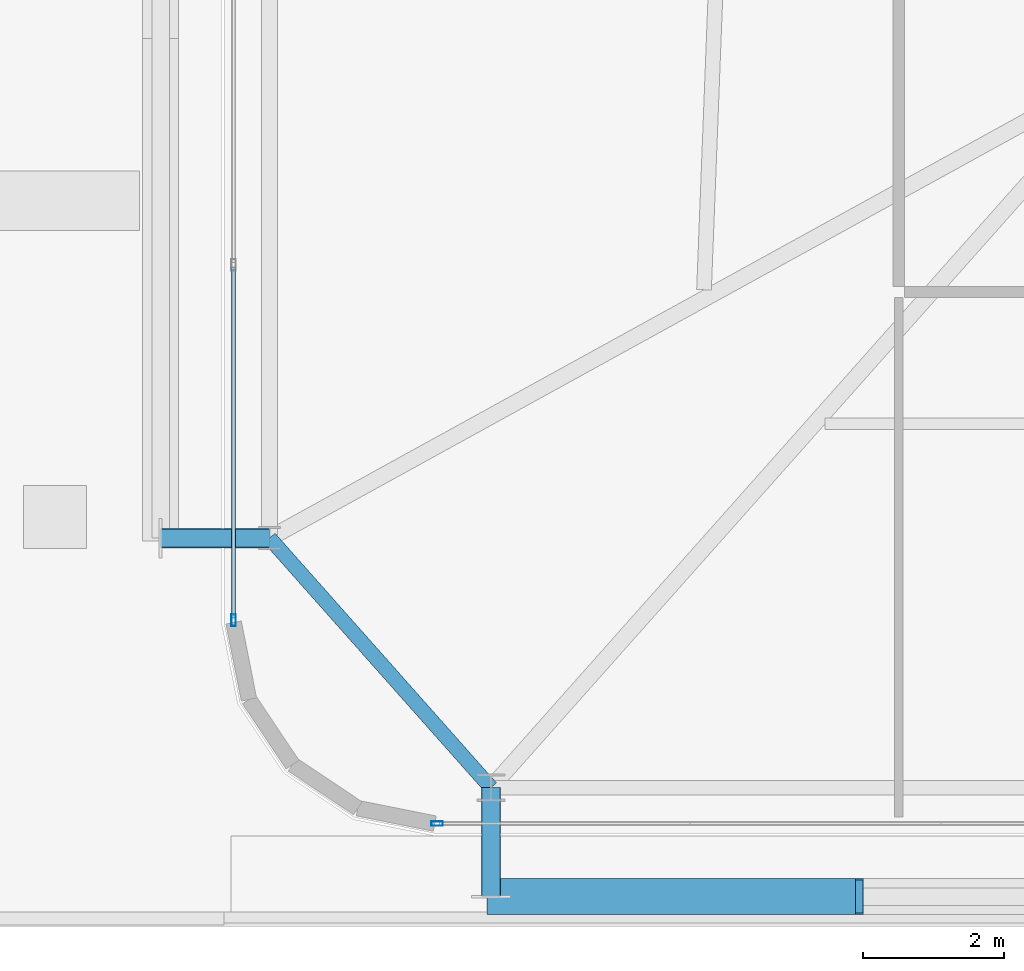
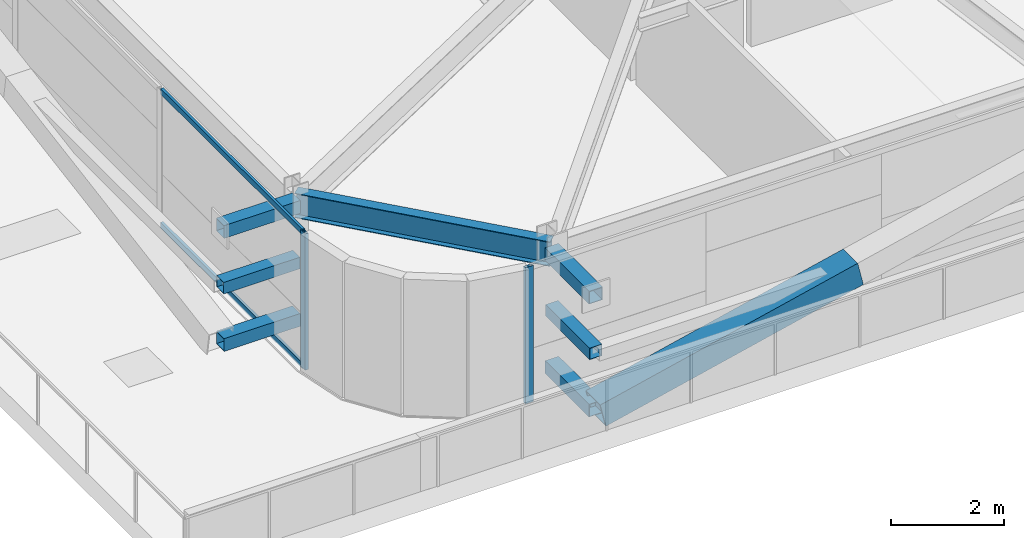
# One storey, part 5 of 56: 11 members, 1 beam, 2 elements without a shape of their own.
"""IFC4 building model written with IfcOpenShell, lengths in metres."""

from ifc_helpers import new_model, si_unit, direction, frame, origin, origin_2d, place, context, subcontext, project, spatial, hollow_rectangle, i_section, extrude, source, transform, mapped, material, layer, layer_set, material_profile, profile_set, type_object, element, aggregate, save


model = new_model("IFC4")

# Units and contexts
model_context = context("Model", 3, precision=1e-05, world=origin(), true_north=direction((0.0, 1.0)))
body_context = subcontext(model_context, "Body", "Model", "MODEL_VIEW")
ifc_project = project(units=[si_unit("LENGTHUNIT", "METRE"), si_unit("AREAUNIT", "SQUARE_METRE"), si_unit("VOLUMEUNIT", "CUBIC_METRE"), si_unit("PLANEANGLEUNIT", "RADIAN"), si_unit("MASSUNIT", "GRAM", prefix="KILO")], contexts=[model_context])

# Site, building, storey
site_placement = place(None, origin())
site = spatial("IfcSite", under=ifc_project, at=site_placement, CompositionType="ELEMENT")
building_placement = place(site_placement, origin())
building = spatial("IfcBuilding", under=site, at=building_placement, Name="Taldren Reach Tower", CompositionType="ELEMENT")
storey_placement = place(building_placement, frame((0.0, 0.0, 16.800048828125)))
storey = spatial("IfcBuildingStorey", under=building, at=storey_placement, Name="L04", CompositionType="ELEMENT", Elevation=16.800048828125)

# Beam
ifc_material_1 = material(Name="Steel Gr 350 (350PLUS)", Category="steel")
ifc_material_profile_1 = material_profile(ifc_material_1, i_section(OverallWidth=0.208984375, OverallDepth=0.528076171875, WebThickness=0.009521484375, FlangeThickness=0.01318359375, at=origin_2d()), Name="530UB82.0")
ifc_profile_set_1 = profile_set([ifc_material_profile_1], Name="Steel Gr 350 (350PLUS)")
beam_type = type_object("IfcBeamType", Name="SP-UB530B", PredefinedType="SPANDREL", material=ifc_profile_set_1)
shared_shape_1 = source(origin(), body_context, "Body", "SweptSolid", [
    extrude(i_section(OverallWidth=0.208984375, OverallDepth=0.528076171875, WebThickness=0.009521484375, FlangeThickness=0.01318359375, at=origin_2d()), origin(), (0.0, 0.0, 1.0), 4.74609375),
])
beam_placement = place(storey_placement, frame((5.64990234375, 5.699951171875, 2.666015625), z_axis=(0.663721843779, -0.747979487747, 0.0), x_axis=(0.747979487747, 0.663721843779, 0.0)))
element("IfcBeam", 1, at=beam_placement, inside=storey, type_object=beam_type, Name="Perimeter spandrel B1 W1-S1 L04", PredefinedType="SPANDREL", context=body_context, shape_type="MappedRepresentation", body=[
    mapped(shared_shape_1, transform((0.0, 0.0, 0.0), scale=1.0)),
])

# Members
ifc_material_2 = material(Name="Steel Gr 450 (C450L0)", Category="steel")
ifc_material_profile_2 = material_profile(ifc_material_2, hollow_rectangle(XDim=0.27490234375, YDim=0.27490234375, WallThickness=0.00927734375, at=origin_2d()), Name="275x275x9.3SHS")
ifc_profile_set_2 = profile_set([ifc_material_profile_2], Name="Steel Gr 450 (C450L0)")
member_type_1 = type_object("IfcMemberType", Name="MB-TIE273", PredefinedType="STRUT", material=ifc_profile_set_2)
shared_shape_2 = source(origin(), body_context, "Body", "SweptSolid", [
    extrude(hollow_rectangle(XDim=0.27490234375, YDim=0.27490234375, WallThickness=0.00927734375, at=origin_2d()), origin(), (0.0, 0.0, 1.0), 1.5498046875),
])
for number, where, z_axis, x_axis, name in (
    (2, (8.800048828125, 2.14990234375, 2.64990234375), (0.0, -1.0, 0.0), (1.0, 0.0, 0.0), "Exoskeleton diaphragm tie strut B1-S1 L04"),
    (3, (8.800048828125, 2.14990234375, 0.219970703125), (0.0, -1.0, 0.0), (1.0, 0.0, 0.0), "Exoskeleton base diaphragm tie strut B1-S1 L04"),
    (4, (5.64990234375, 5.699951171875, 2.64990234375), (-1.0, 0.0, 0.0), (0.0, -1.0, 0.0), "Exoskeleton diaphragm tie strut B1-W1 L04"),
    (5, (5.64990234375, 5.699951171875, 0.219970703125), (-1.0, 0.0, 0.0), (0.0, -1.0, 0.0), "Exoskeleton base diaphragm tie strut B1-W1 L04"),
):
    element("IfcMember", number, at=place(storey_placement, frame(where, z_axis=z_axis, x_axis=x_axis)), inside=storey, type_object=member_type_1, Name=name, PredefinedType="STRUT", context=body_context, shape_type="MappedRepresentation", body=[
        mapped(shared_shape_2, transform((0.0, 0.0, 0.0), scale=1.0)),
    ])
ifc_material_profile_3 = material_profile(ifc_material_2, hollow_rectangle(XDim=0.510009765625, YDim=0.510009765625, WallThickness=0.02001953125, at=origin_2d()), Name="510x510x20.0SHS")
ifc_profile_set_3 = profile_set([ifc_material_profile_3], Name="Steel Gr 450 (C450L0)")
member_type_2 = type_object("IfcMemberType", Name="MB-EXO508", PredefinedType="BRACE", material=ifc_profile_set_3)
shared_shape_3 = source(origin(), body_context, "Body", "SweptSolid", [
    extrude(hollow_rectangle(XDim=0.510009765625, YDim=0.510009765625, WallThickness=0.02001953125, at=origin_2d()), origin(), (0.0, 0.0, 1.0), 5.37890625),
])
member_1_placement = place(storey_placement, frame((8.800048828125, 0.60009765625, 0.219970703125), z_axis=(0.97415197996, 0.0, 0.225893603143), x_axis=(0.0, 1.0, 0.0)))
element("IfcMember", 6, at=member_1_placement, inside=storey, type_object=member_type_2, Name="Exoskeleton Diagrid Brace B1-S1 L04", PredefinedType="BRACE", context=body_context, shape_type="MappedRepresentation", body=[
    mapped(shared_shape_3, transform((0.0, 0.0, 0.0), scale=1.0)),
])
ifc_material_3 = material(Name="Steel Gr 350 (C350L0)", Category="steel")
ifc_material_profile_4 = material_profile(ifc_material_3, hollow_rectangle(XDim=0.25, YDim=0.25, WallThickness=0.010009765625, at=origin_2d()), Name="250x250x10.0SHS")
ifc_profile_set_4 = profile_set([ifc_material_profile_4], Name="Steel Gr 350 (C350L0)")
member_type_3 = type_object("IfcMemberType", Name="MB-POST250", PredefinedType="POST", material=ifc_profile_set_4)
shared_shape_4 = source(origin(), body_context, "Body", "SweptSolid", [
    extrude(hollow_rectangle(XDim=0.25, YDim=0.25, WallThickness=0.010009765625, at=origin_2d()), origin(), (0.0, 0.0, 1.0), 1.5498046875),
])
for number, where, z_axis, x_axis, name in (
    (7, (8.800048828125, 2.14990234375, 1.43505859375), (0.0, -1.0, 0.0), (1.0, 0.0, 0.0), "Exoskeleton mid-tier diaphragm tie B1-S1 L04"),
    (8, (5.64990234375, 5.699951171875, 1.43505859375), (-1.0, 0.0, 0.0), (0.0, -1.0, 0.0), "Exoskeleton mid-tier diaphragm tie B1-W1 L04"),
):
    element("IfcMember", number, at=place(storey_placement, frame(where, z_axis=z_axis, x_axis=x_axis)), inside=storey, type_object=member_type_3, Name=name, PredefinedType="POST", context=body_context, shape_type="MappedRepresentation", body=[
        mapped(shared_shape_4, transform((0.0, 0.0, 0.0), scale=1.0)),
    ])

# Curtain wall, member
ifc_material_4 = material(Name="Aluminium and Low-E Glass Unitised System", Category="aluminium")
ifc_layer = layer(ifc_material_4, 0.159912109375)
ifc_layer_set = layer_set([ifc_layer], Name="Aluminium and Low-E Glass Unitised System")
curtain_wall_type = type_object("IfcCurtainWallType", Name="CW-SYS-2", PredefinedType="NOTDEFINED", material=ifc_layer_set)
curtain_wall_1_placement = place(storey_placement, origin())
curtain_wall_1 = element("IfcCurtainWall", 9, at=curtain_wall_1_placement, inside=storey, type_object=curtain_wall_type, Name="Unitised curtain wall CW-L04-S", PredefinedType="NOTDEFINED")
ifc_material_5 = material(Name="Anodised Aluminium 6063-T6", Category="aluminium")
ifc_material_profile_5 = material_profile(ifc_material_5, hollow_rectangle(XDim=0.06494140625, YDim=0.1650390625, WallThickness=0.00390625, at=origin_2d()), Name="ALU-165x65x4RHS")
ifc_profile_set_5 = profile_set([ifc_material_profile_5], Name="Anodised Aluminium 6063-T6")
member_type_4 = type_object("IfcMemberType", Name="CW-MUL-165", PredefinedType="MULLION", material=ifc_profile_set_5)
shared_shape_5 = source(origin(), body_context, "Body", "SweptSolid", [
    extrude(hollow_rectangle(XDim=0.06494140625, YDim=0.1650390625, WallThickness=0.00390625, at=origin_2d()), origin(), (0.0, 0.0, 1.0), 2.929931640625),
])
member_2_placement = place(storey_placement, frame((8.032470703125, 1.639892578125, 0.0), z_axis=(0.0, 0.0, 1.0), x_axis=(0.0, 1.0, 0.0)))
member_2 = element("IfcMember", 10, at=member_2_placement, type_object=member_type_4, Name="CW-2 mullion 1", PredefinedType="MULLION", context=body_context, shape_type="MappedRepresentation", body=[
    mapped(shared_shape_5, transform((0.0, 0.0, 0.0), scale=1.0)),
])
aggregate(curtain_wall_1, [member_2])

# Curtain wall, members
curtain_wall_2_placement = place(storey_placement, origin())
curtain_wall_2 = element("IfcCurtainWall", 11, at=curtain_wall_2_placement, inside=storey, type_object=curtain_wall_type, Name="Unitised curtain wall CW-L04-W2", PredefinedType="NOTDEFINED")
member_3_placement = place(storey_placement, frame((5.139892578125, 4.532470703125, 0.0), z_axis=(0.0, 0.0, 1.0), x_axis=(1.0, 0.0, 0.0)))
member_3 = element("IfcMember", 12, at=member_3_placement, type_object=member_type_4, Name="CW-2 mullion 5", PredefinedType="MULLION", context=body_context, shape_type="MappedRepresentation", body=[
    mapped(shared_shape_5, transform((0.0, 0.0, 0.0), scale=1.0)),
])
ifc_material_profile_6 = material_profile(ifc_material_5, hollow_rectangle(XDim=0.054931640625, YDim=0.1201171875, WallThickness=0.0029296875, at=origin_2d()), Name="ALU-120x55x3RHS")
ifc_profile_set_6 = profile_set([ifc_material_profile_6], Name="Anodised Aluminium 6063-T6")
member_type_5 = type_object("IfcMemberType", Name="CW-TRN-135", PredefinedType="USERDEFINED", material=ifc_profile_set_6)
shared_shape_6 = source(origin(), body_context, "Body", "SweptSolid", [
    extrude(hollow_rectangle(XDim=0.054931640625, YDim=0.1201171875, WallThickness=0.0029296875, at=origin_2d()), origin(), (0.0, 0.0, 1.0), 4.989990234375),
])
member_4_placement = place(storey_placement, frame((5.139892578125, 9.554931640625, 0.02734375), z_axis=(0.0, -1.0, 0.0), x_axis=(1.0, 0.0, 0.0)))
member_4 = element("IfcMember", 13, at=member_4_placement, type_object=member_type_5, Name="CW-2 transom 4.1", ObjectType="TRANSOM", PredefinedType="USERDEFINED", context=body_context, shape_type="MappedRepresentation", body=[
    mapped(shared_shape_6, transform((0.0, 0.0, 0.0), scale=1.0)),
])
member_5_placement = place(storey_placement, frame((5.139892578125, 9.554931640625, 2.90234375), z_axis=(0.0, -1.0, 0.0), x_axis=(1.0, 0.0, 0.0)))
member_5 = element("IfcMember", 14, at=member_5_placement, type_object=member_type_5, Name="CW-2 transom 4.2", ObjectType="TRANSOM", PredefinedType="USERDEFINED", context=body_context, shape_type="MappedRepresentation", body=[
    mapped(shared_shape_6, transform((0.0, 0.0, 0.0), scale=1.0)),
])
aggregate(curtain_wall_2, [member_3, member_4, member_5])

save(model, "model.ifc")
